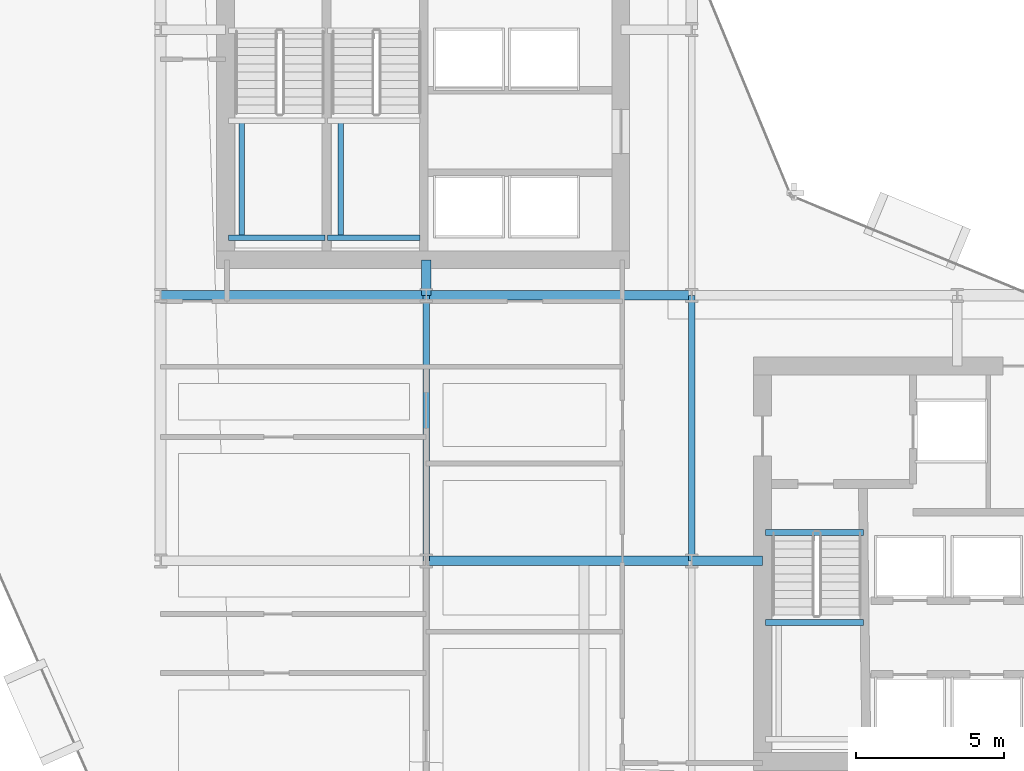
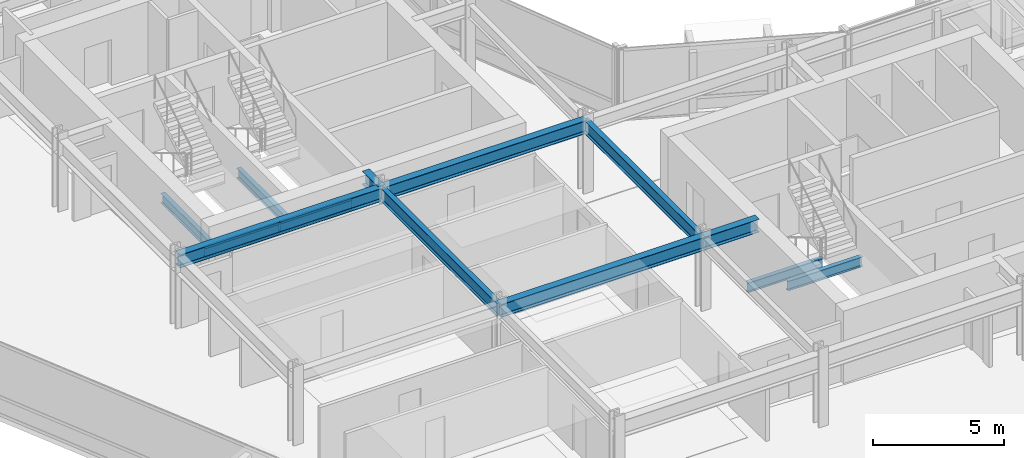
# One storey, part 7 of 35: 13 beams.
"""IFC4 building model written with IfcOpenShell, lengths in metres."""

from ifc_helpers import new_model, si_unit, direction, frame, origin, origin_2d, place, context, subcontext, project, spatial, i_section, extrude, material, material_profile, profile_set, type_object, element, save


model = new_model("IFC4")

# Units and contexts
model_context = context("Model", 3, precision=1e-05, world=origin(), true_north=direction((0.0, 1.0)))
body_context = subcontext(model_context, "Body", "Model", "MODEL_VIEW")
ifc_project = project(units=[si_unit("LENGTHUNIT", "METRE"), si_unit("AREAUNIT", "SQUARE_METRE"), si_unit("VOLUMEUNIT", "CUBIC_METRE"), si_unit("PLANEANGLEUNIT", "RADIAN"), si_unit("MASSUNIT", "GRAM", prefix="KILO")], contexts=[model_context])

# Site, building, storey
site_placement = place(None, origin())
site = spatial("IfcSite", under=ifc_project, at=site_placement, CompositionType="ELEMENT")
building_placement = place(site_placement, origin())
building = spatial("IfcBuilding", under=site, at=building_placement, Name="Solvaryn Broadcast Tower", CompositionType="ELEMENT")
storey_placement = place(building_placement, frame((0.0, 0.0, 80.39990234375)))
storey = spatial("IfcBuildingStorey", under=building, at=storey_placement, Name="L19", CompositionType="ELEMENT", Elevation=80.39990234375)

# Beams
ifc_material_1 = material(Name="Steel ASTM A992 Grade 50", Category="steel")
ifc_material_profile_1 = material_profile(ifc_material_1, i_section(OverallWidth=0.323974609375, OverallDepth=0.611083984375, WebThickness=0.0126953125, FlangeThickness=0.01904296875, FilletRadius=0.014892578125, at=origin_2d()))
ifc_profile_set_1 = profile_set([ifc_material_profile_1], Name="Steel ASTM A992 Grade 50")
beam_type_1 = type_object("IfcBeamType", Name="BM-B1-W24X104", PredefinedType="BEAM", material=ifc_profile_set_1)
for number, where, z_axis, x_axis, name in (
    (1, (18.0, 18.0, 3.064697265625), (1.0, 0.0, 0.0), (0.0, 1.0, 0.0), "L19 Primary Beam X (18-27 @ Y=18)"),
    (2, (9.0, 27.0, 3.064697265625), (1.0, 0.0, 0.0), (0.0, 1.0, 0.0), "L19 Primary Beam X (9-18 @ Y=27)"),
    (3, (18.0, 27.0, 3.064697265625), (1.0, 0.0, 0.0), (0.0, 1.0, 0.0), "L19 Primary Beam X (18-27 @ Y=27)"),
):
    element("IfcBeam", number, at=place(storey_placement, frame(where, z_axis=z_axis, x_axis=x_axis)), inside=storey, type_object=beam_type_1, Name=name, PredefinedType="BEAM", context=body_context, shape_type="SweptSolid", body=[
        extrude(i_section(OverallWidth=0.323974609375, OverallDepth=0.611083984375, WebThickness=0.0126953125, FlangeThickness=0.01904296875, FilletRadius=0.014892578125, at=origin_2d()), origin(), (0.0, 0.0, 1.0), 9.0),
    ])
beam_1_placement = place(storey_placement, frame((18.0, 27.0, 3.064697265625), z_axis=(0.0, 1.0, 0.0), x_axis=(-1.0, 0.0, 0.0)))
element("IfcBeam", 4, at=beam_1_placement, inside=storey, type_object=beam_type_1, Name="L19 Core Tie Beam CTW4", PredefinedType="BEAM", context=body_context, shape_type="SweptSolid", body=[
    extrude(i_section(OverallWidth=0.323974609375, OverallDepth=0.611083984375, WebThickness=0.0126953125, FlangeThickness=0.01904296875, FilletRadius=0.014892578125, at=origin_2d()), origin(), (0.0, 0.0, 1.0), 1.199951171875),
])
beam_2_placement = place(storey_placement, frame((27.0, 18.0, 3.064697265625), z_axis=(1.0, 0.0, 0.0), x_axis=(0.0, 1.0, 0.0)))
element("IfcBeam", 5, at=beam_2_placement, inside=storey, type_object=beam_type_1, Name="L19 Core Tie Beam CTE4", PredefinedType="BEAM", context=body_context, shape_type="SweptSolid", body=[
    extrude(i_section(OverallWidth=0.323974609375, OverallDepth=0.611083984375, WebThickness=0.0126953125, FlangeThickness=0.01904296875, FilletRadius=0.014892578125, at=origin_2d()), origin(), (0.0, 0.0, 1.0), 2.39990234375),
])
ifc_material_2 = material(Name="Steel ASTM A992 Grade 50", Category="steel")
ifc_material_profile_2 = material_profile(ifc_material_2, i_section(OverallWidth=0.22802734375, OverallDepth=0.60791015625, WebThickness=0.01123046875, FlangeThickness=0.017333984375, FilletRadius=0.014892578125, at=origin_2d()))
ifc_profile_set_2 = profile_set([ifc_material_profile_2], Name="Steel ASTM A992 Grade 50")
beam_type_2 = type_object("IfcBeamType", Name="BM-B2-W24X76", PredefinedType="BEAM", material=ifc_profile_set_2)
for number, where, z_axis, x_axis, name in (
    (6, (18.0, 18.0, 3.066162109375), (0.0, 1.0, 0.0), (-1.0, 0.0, 0.0), "L19 Primary Beam Y (18-27 @ X=18)"),
    (7, (27.0, 18.0, 3.066162109375), (0.0, 1.0, 0.0), (-1.0, 0.0, 0.0), "L19 Primary Beam Y (18-27 @ X=27)"),
):
    element("IfcBeam", number, at=place(storey_placement, frame(where, z_axis=z_axis, x_axis=x_axis)), inside=storey, type_object=beam_type_2, Name=name, PredefinedType="BEAM", context=body_context, shape_type="SweptSolid", body=[
        extrude(i_section(OverallWidth=0.22802734375, OverallDepth=0.60791015625, WebThickness=0.01123046875, FlangeThickness=0.017333984375, FilletRadius=0.014892578125, at=origin_2d()), origin(), (0.0, 0.0, 1.0), 9.0),
    ])
ifc_material_3 = material(Name="Steel ASTM A992 Grade 50", Category="steel")
ifc_material_profile_3 = material_profile(ifc_material_3, i_section(OverallWidth=0.18994140625, OverallDepth=0.45703125, WebThickness=0.009033203125, FlangeThickness=0.014404296875, FilletRadius=0.011962890625, at=origin_2d()))
ifc_profile_set_3 = profile_set([ifc_material_profile_3], Name="Steel ASTM A992 Grade 50")
beam_type_3 = type_object("IfcBeamType", Name="BM-B4-W18X50", PredefinedType="BEAM", material=ifc_profile_set_3)
beam_3_placement = place(storey_placement, frame((11.300048828125, 28.949951171875, 1.421630859375), z_axis=(1.0, 0.0, 0.0), x_axis=(0.0, 1.0, 0.0)))
element("IfcBeam", 8, at=beam_3_placement, inside=storey, type_object=beam_type_3, Name="L19 ST1 Landing Support Beam 1A", PredefinedType="BEAM", context=body_context, shape_type="SweptSolid", body=[
    extrude(i_section(OverallWidth=0.18994140625, OverallDepth=0.45703125, WebThickness=0.009033203125, FlangeThickness=0.014404296875, FilletRadius=0.011962890625, at=origin_2d()), origin(), (0.0, 0.0, 1.0), 3.280029296875),
])
beam_4_placement = place(storey_placement, frame((11.75, 28.949951171875, 1.421630859375), z_axis=(0.0, 1.0, 0.0), x_axis=(-1.0, 0.0, 0.0)))
element("IfcBeam", 9, at=beam_4_placement, inside=storey, type_object=beam_type_3, Name="L19 ST1 Landing Cross Stringer 1C", PredefinedType="BEAM", context=body_context, shape_type="SweptSolid", body=[
    extrude(i_section(OverallWidth=0.18994140625, OverallDepth=0.45703125, WebThickness=0.009033203125, FlangeThickness=0.014404296875, FilletRadius=0.011962890625, at=origin_2d()), origin(), (0.0, 0.0, 1.0), 3.9599609375),
])
beam_5_placement = place(storey_placement, frame((14.659912109375, 28.949951171875, 1.421630859375), z_axis=(1.0, 0.0, 0.0), x_axis=(0.0, 1.0, 0.0)))
element("IfcBeam", 10, at=beam_5_placement, inside=storey, type_object=beam_type_3, Name="L19 ST2 Landing Support Beam 1A", PredefinedType="BEAM", context=body_context, shape_type="SweptSolid", body=[
    extrude(i_section(OverallWidth=0.18994140625, OverallDepth=0.45703125, WebThickness=0.009033203125, FlangeThickness=0.014404296875, FilletRadius=0.011962890625, at=origin_2d()), origin(), (0.0, 0.0, 1.0), 3.14013671875),
])
beam_6_placement = place(storey_placement, frame((15.110107421875, 28.949951171875, 1.421630859375), z_axis=(0.0, 1.0, 0.0), x_axis=(-1.0, 0.0, 0.0)))
element("IfcBeam", 11, at=beam_6_placement, inside=storey, type_object=beam_type_3, Name="L19 ST2 Landing Cross Stringer 1C", PredefinedType="BEAM", context=body_context, shape_type="SweptSolid", body=[
    extrude(i_section(OverallWidth=0.18994140625, OverallDepth=0.45703125, WebThickness=0.009033203125, FlangeThickness=0.014404296875, FilletRadius=0.011962890625, at=origin_2d()), origin(), (0.0, 0.0, 1.0), 3.9599609375),
])
for number, where, z_axis, x_axis, name in (
    (12, (29.5, 18.9599609375, -0.50830078125), (1.0, 0.0, 0.0), (0.0, 1.0, 0.0), "L19 ST3 Stair Well Trimmer Beam"),
    (13, (29.5, 15.909912109375, 1.421630859375), (1.0, 0.0, 0.0), (0.0, 1.0, 0.0), "L19 ST3 Landing Support Beam 1B"),
):
    element("IfcBeam", number, at=place(storey_placement, frame(where, z_axis=z_axis, x_axis=x_axis)), inside=storey, type_object=beam_type_3, Name=name, PredefinedType="BEAM", context=body_context, shape_type="SweptSolid", body=[
        extrude(i_section(OverallWidth=0.18994140625, OverallDepth=0.45703125, WebThickness=0.009033203125, FlangeThickness=0.014404296875, FilletRadius=0.011962890625, at=origin_2d()), origin(), (0.0, 0.0, 1.0), 3.320068359375),
    ])

save(model, "model.ifc")
